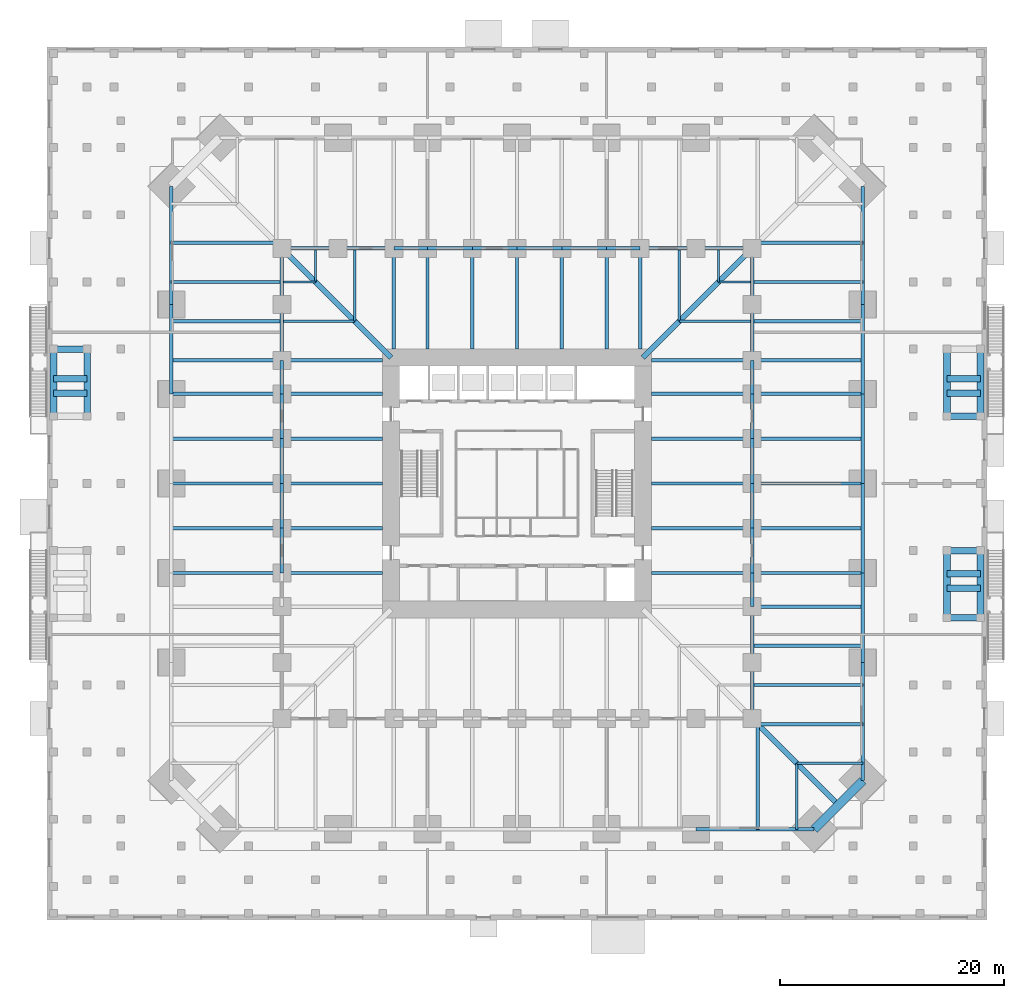
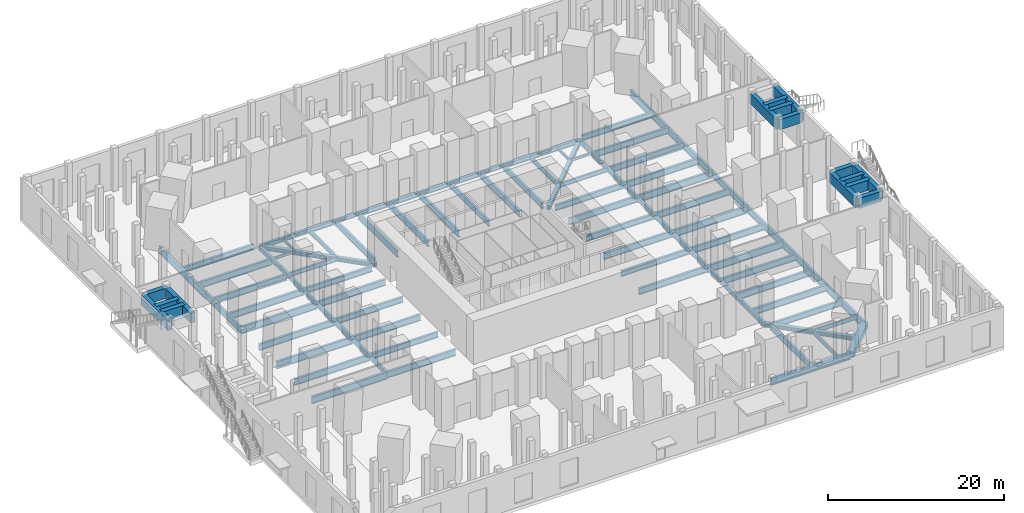
# One storey, part 9 of 20: 108 beams.
"""IFC4 building model written with IfcOpenShell, lengths in metres."""

from ifc_helpers import new_model, si_unit, direction, frame, origin, origin_2d, place, context, subcontext, project, spatial, rectangle, hollow_rectangle, i_section, extrude, material, material_profile, profile_set, type_object, element, save


model = new_model("IFC4")

# Units and contexts
model_context = context("Model", 3, precision=1e-05, world=origin(), true_north=direction((0.0, 1.0)))
body_context = subcontext(model_context, "Body", "Model", "MODEL_VIEW")
ifc_project = project(units=[si_unit("LENGTHUNIT", "METRE"), si_unit("AREAUNIT", "SQUARE_METRE"), si_unit("VOLUMEUNIT", "CUBIC_METRE"), si_unit("PLANEANGLEUNIT", "RADIAN"), si_unit("MASSUNIT", "GRAM", prefix="KILO")], contexts=[model_context])

# Site, building, storey
site_placement = place(None, origin())
site = spatial("IfcSite", under=ifc_project, at=site_placement, CompositionType="ELEMENT")
building_placement = place(site_placement, origin())
building = spatial("IfcBuilding", under=site, at=building_placement, Name="Peilmerk Tower", CompositionType="ELEMENT")
storey_placement = place(building_placement, origin())
storey = spatial("IfcBuildingStorey", under=building, at=storey_placement, Name="L00", CompositionType="ELEMENT", Elevation=0.0)

# Beams
ifc_material_1 = material(Name="Steel S355", Category="steel")
ifc_material_profile_1 = material_profile(ifc_material_1, i_section(OverallWidth=0.302001953125, OverallDepth=1.008056640625, WebThickness=0.02099609375, FlangeThickness=0.0400390625, at=origin_2d()), Name="HEM 1000")
ifc_profile_set_1 = profile_set([ifc_material_profile_1], Name="Steel S355")
beam_type_1 = type_object("IfcBeamType", Name="B1 HEM 1000 edge beam", PredefinedType="SPANDREL", material=ifc_profile_set_1)
for number, where, z_axis, x_axis, name in (
    (1, (30.896728515625, -26.546875, -0.7041015625), (0.0, 1.0, 0.0), (-1.0, 0.0, 0.0), "Edge beam L00"),
    (2, (30.896728515625, 16.0, -0.7041015625), (0.0, 1.0, 0.0), (-1.0, 0.0, 0.0), "Edge beam L00"),
    (3, (16.0, -30.896728515625, -0.7041015625), (1.0, 0.0, 0.0), (0.0, 1.0, 0.0), "Edge beam L00"),
    (4, (-30.896728515625, 26.546875, -0.7041015625), (0.0, -1.0, 0.0), (1.0, 0.0, 0.0), "Edge beam L00"),
):
    element("IfcBeam", number, at=place(storey_placement, frame(where, z_axis=z_axis, x_axis=x_axis)), inside=storey, type_object=beam_type_1, Name=name, PredefinedType="SPANDREL", context=body_context, shape_type="SweptSolid", body=[
        extrude(i_section(OverallWidth=0.302001953125, OverallDepth=1.008056640625, WebThickness=0.02099609375, FlangeThickness=0.0400390625, at=origin_2d()), origin(), (0.0, 0.0, 1.0), 10.546875),
    ])
ifc_material_profile_2 = material_profile(ifc_material_1, i_section(OverallWidth=0.219970703125, OverallDepth=0.60009765625, WebThickness=0.011962890625, FlangeThickness=0.01904296875, at=origin_2d()), Name="IPE 600")
ifc_profile_set_2 = profile_set([ifc_material_profile_2], Name="Steel S355")
beam_type_2 = type_object("IfcBeamType", Name="B10 IPE 600 floor beam", PredefinedType="BEAM", material=ifc_profile_set_2)
for number, where, z_axis, x_axis, name in (
    (5, (14.5, 14.5, -0.5), (0.0, 1.0, 0.0), (-1.0, 0.0, 0.0), "Floor beam L00"),
    (6, (14.5, 14.5, -0.5), (1.0, 0.0, 0.0), (0.0, 1.0, 0.0), "Floor beam L00"),
    (7, (-14.5, 14.5, -0.5), (0.0, 1.0, 0.0), (-1.0, 0.0, 0.0), "Floor beam L00"),
    (8, (-14.5, 14.5, -0.5), (-1.0, 0.0, 0.0), (0.0, -1.0, 0.0), "Floor beam L00"),
):
    element("IfcBeam", number, at=place(storey_placement, frame(where, z_axis=z_axis, x_axis=x_axis)), inside=storey, type_object=beam_type_2, Name=name, PredefinedType="BEAM", context=body_context, shape_type="SweptSolid", body=[
        extrude(i_section(OverallWidth=0.219970703125, OverallDepth=0.60009765625, WebThickness=0.011962890625, FlangeThickness=0.01904296875, at=origin_2d()), origin(), (0.0, 0.0, 1.0), 6.347412109375),
    ])
ifc_material_profile_3 = material_profile(ifc_material_1, i_section(OverallWidth=0.169921875, OverallDepth=0.360107421875, WebThickness=0.008056640625, FlangeThickness=0.0126953125, at=origin_2d()), Name="IPE 360")
ifc_profile_set_3 = profile_set([ifc_material_profile_3], Name="Steel S355")
beam_type_3 = type_object("IfcBeamType", Name="B11 IPE 360 floor beam", PredefinedType="BEAM", material=ifc_profile_set_3)
for number, where, z_axis, x_axis, name in (
    (9, (18.0, 18.0, -0.3798828125), (0.0, 1.0, 0.0), (-1.0, 0.0, 0.0), "Floor beam L00"),
    (10, (18.0, 18.0, -0.3798828125), (1.0, 0.0, 0.0), (0.0, 1.0, 0.0), "Floor beam L00"),
    (11, (-18.0, 18.0, -0.3798828125), (0.0, 1.0, 0.0), (-1.0, 0.0, 0.0), "Floor beam L00"),
    (12, (-18.0, 18.0, -0.3798828125), (-1.0, 0.0, 0.0), (0.0, -1.0, 0.0), "Floor beam L00"),
):
    element("IfcBeam", number, at=place(storey_placement, frame(where, z_axis=z_axis, x_axis=x_axis)), inside=storey, type_object=beam_type_3, Name=name, PredefinedType="BEAM", context=body_context, shape_type="SweptSolid", body=[
        extrude(i_section(OverallWidth=0.169921875, OverallDepth=0.360107421875, WebThickness=0.008056640625, FlangeThickness=0.0126953125, at=origin_2d()), origin(), (0.0, 0.0, 1.0), 2.847412109375),
    ])
ifc_material_profile_4 = material_profile(ifc_material_1, i_section(OverallWidth=0.2099609375, OverallDepth=0.550048828125, WebThickness=0.010986328125, FlangeThickness=0.01708984375, at=origin_2d()), Name="IPE 550")
ifc_profile_set_4 = profile_set([ifc_material_profile_4], Name="Steel S355")
beam_type_4 = type_object("IfcBeamType", Name="B12 IPE 550 floor beam", PredefinedType="BEAM", material=ifc_profile_set_4)
for number, where, z_axis, x_axis, name in (
    (13, (25.0, -25.0, -0.47509765625), (0.0, -1.0, 0.0), (1.0, 0.0, 0.0), "Floor beam L00"),
    (14, (25.0, -25.0, -0.47509765625), (1.0, 0.0, 0.0), (0.0, 1.0, 0.0), "Floor beam L00"),
):
    element("IfcBeam", number, at=place(storey_placement, frame(where, z_axis=z_axis, x_axis=x_axis)), inside=storey, type_object=beam_type_4, Name=name, PredefinedType="BEAM", context=body_context, shape_type="SweptSolid", body=[
        extrude(i_section(OverallWidth=0.2099609375, OverallDepth=0.550048828125, WebThickness=0.010986328125, FlangeThickness=0.01708984375, at=origin_2d()), origin(), (0.0, 0.0, 1.0), 5.896728515625),
    ])
ifc_material_profile_5 = material_profile(ifc_material_1, i_section(OverallWidth=0.302001953125, OverallDepth=0.909912109375, WebThickness=0.02099609375, FlangeThickness=0.0400390625, at=origin_2d()), Name="HEM 900")
ifc_profile_set_5 = profile_set([ifc_material_profile_5], Name="Steel S355")
beam_type_5 = type_object("IfcBeamType", Name="B2 HEM 900 edge beam", PredefinedType="SPANDREL", material=ifc_profile_set_5)
for number, where, z_axis, x_axis, name in (
    (15, (30.896728515625, -16.0, -0.655029296875), (0.0, 1.0, 0.0), (-1.0, 0.0, 0.0), "Edge beam L00"),
    (16, (30.896728515625, -8.0, -0.655029296875), (0.0, 1.0, 0.0), (-1.0, 0.0, 0.0), "Edge beam L00"),
    (17, (30.896728515625, 0.0, -0.655029296875), (0.0, 1.0, 0.0), (-1.0, 0.0, 0.0), "Edge beam L00"),
    (18, (30.896728515625, 8.0, -0.655029296875), (0.0, 1.0, 0.0), (-1.0, 0.0, 0.0), "Edge beam L00"),
    (19, (-30.896728515625, 16.0, -0.655029296875), (0.0, -1.0, 0.0), (1.0, 0.0, 0.0), "Edge beam L00"),
):
    element("IfcBeam", number, at=place(storey_placement, frame(where, z_axis=z_axis, x_axis=x_axis)), inside=storey, type_object=beam_type_5, Name=name, PredefinedType="SPANDREL", context=body_context, shape_type="SweptSolid", body=[
        extrude(i_section(OverallWidth=0.302001953125, OverallDepth=0.909912109375, WebThickness=0.02099609375, FlangeThickness=0.0400390625, at=origin_2d()), origin(), (0.0, 0.0, 1.0), 8.0),
    ])
ifc_material_profile_6 = material_profile(ifc_material_1, i_section(OverallWidth=0.300048828125, OverallDepth=0.7900390625, WebThickness=0.014892578125, FlangeThickness=0.028076171875, at=origin_2d()), Name="HEA 800")
ifc_profile_set_6 = profile_set([ifc_material_profile_6], Name="Steel S355")
beam_type_6 = type_object("IfcBeamType", Name="B3 HEA 800 floor beam", PredefinedType="BEAM", material=ifc_profile_set_6)
for number, where, z_axis, x_axis, name in (
    (20, (11.0, 12.0, -0.594970703125), (0.0, 1.0, 0.0), (-1.0, 0.0, 0.0), "Floor beam L00"),
    (21, (4.0, 12.0, -0.594970703125), (0.0, 1.0, 0.0), (-1.0, 0.0, 0.0), "Floor beam L00"),
    (22, (-4.0, 12.0, -0.594970703125), (0.0, 1.0, 0.0), (-1.0, 0.0, 0.0), "Floor beam L00"),
    (23, (-11.0, 12.0, -0.594970703125), (0.0, 1.0, 0.0), (-1.0, 0.0, 0.0), "Floor beam L00"),
    (24, (12.0, -4.0, -0.594970703125), (1.0, 0.0, 0.0), (0.0, 1.0, 0.0), "Floor beam L00"),
    (25, (12.0, 4.0, -0.594970703125), (1.0, 0.0, 0.0), (0.0, 1.0, 0.0), "Floor beam L00"),
    (26, (12.0, 11.0, -0.594970703125), (1.0, 0.0, 0.0), (0.0, 1.0, 0.0), "Floor beam L00"),
    (27, (-12.0, 11.0, -0.594970703125), (-1.0, 0.0, 0.0), (0.0, -1.0, 0.0), "Floor beam L00"),
    (28, (-12.0, 4.0, -0.594970703125), (-1.0, 0.0, 0.0), (0.0, -1.0, 0.0), "Floor beam L00"),
    (29, (-12.0, -4.0, -0.594970703125), (-1.0, 0.0, 0.0), (0.0, -1.0, 0.0), "Floor beam L00"),
):
    element("IfcBeam", number, at=place(storey_placement, frame(where, z_axis=z_axis, x_axis=x_axis)), inside=storey, type_object=beam_type_6, Name=name, PredefinedType="BEAM", context=body_context, shape_type="SweptSolid", body=[
        extrude(i_section(OverallWidth=0.300048828125, OverallDepth=0.7900390625, WebThickness=0.014892578125, FlangeThickness=0.028076171875, at=origin_2d()), origin(), (0.0, 0.0, 1.0), 9.0),
    ])
for number, where, z_axis, x_axis, name in (
    (30, (21.5, 21.5, -0.594970703125), (1.0, 0.0, 0.0), (0.0, 1.0, 0.0), "Floor beam L00"),
    (31, (21.5, -21.5, -0.594970703125), (0.0, -1.0, 0.0), (1.0, 0.0, 0.0), "Floor beam L00"),
    (32, (21.5, -21.5, -0.594970703125), (1.0, 0.0, 0.0), (0.0, 1.0, 0.0), "Floor beam L00"),
    (33, (-21.5, 21.5, -0.594970703125), (-1.0, 0.0, 0.0), (0.0, -1.0, 0.0), "Floor beam L00"),
):
    element("IfcBeam", number, at=place(storey_placement, frame(where, z_axis=z_axis, x_axis=x_axis)), inside=storey, type_object=beam_type_6, Name=name, PredefinedType="BEAM", context=body_context, shape_type="SweptSolid", body=[
        extrude(i_section(OverallWidth=0.300048828125, OverallDepth=0.7900390625, WebThickness=0.014892578125, FlangeThickness=0.028076171875, at=origin_2d()), origin(), (0.0, 0.0, 1.0), 9.396728515625),
    ])
ifc_material_profile_7 = material_profile(ifc_material_1, i_section(OverallWidth=0.300048828125, OverallDepth=0.889892578125, WebThickness=0.01611328125, FlangeThickness=0.030029296875, at=origin_2d()), Name="HEA 900")
ifc_profile_set_7 = profile_set([ifc_material_profile_7], Name="Steel S355")
beam_type_7 = type_object("IfcBeamType", Name="B4 HEA 900 floor beam", PredefinedType="BEAM", material=ifc_profile_set_7)
for number, where, z_axis, x_axis, name in (
    (34, (8.0, 12.0, -0.64501953125), (0.0, 1.0, 0.0), (-1.0, 0.0, 0.0), "Floor girder L00"),
    (35, (0.0, 12.0, -0.64501953125), (0.0, 1.0, 0.0), (-1.0, 0.0, 0.0), "Floor girder L00"),
    (36, (-8.0, 12.0, -0.64501953125), (0.0, 1.0, 0.0), (-1.0, 0.0, 0.0), "Floor girder L00"),
):
    element("IfcBeam", number, at=place(storey_placement, frame(where, z_axis=z_axis, x_axis=x_axis)), inside=storey, type_object=beam_type_7, Name=name, PredefinedType="BEAM", context=body_context, shape_type="SweptSolid", body=[
        extrude(i_section(OverallWidth=0.300048828125, OverallDepth=0.889892578125, WebThickness=0.01611328125, FlangeThickness=0.030029296875, at=origin_2d()), origin(), (0.0, 0.0, 1.0), 9.0),
    ])
beam_1_placement = place(storey_placement, frame((21.0, -11.0, -0.64501953125), z_axis=(1.0, 0.0, 0.0), x_axis=(0.0, 1.0, 0.0)))
element("IfcBeam", 37, at=beam_1_placement, inside=storey, type_object=beam_type_7, Name="Floor beam L00", PredefinedType="BEAM", context=body_context, shape_type="SweptSolid", body=[
    extrude(i_section(OverallWidth=0.300048828125, OverallDepth=0.889892578125, WebThickness=0.01611328125, FlangeThickness=0.030029296875, at=origin_2d()), origin(), (0.0, 0.0, 1.0), 9.896728515625),
])
beam_2_placement = place(storey_placement, frame((12.0, -8.0, -0.64501953125), z_axis=(1.0, 0.0, 0.0), x_axis=(0.0, 1.0, 0.0)))
element("IfcBeam", 38, at=beam_2_placement, inside=storey, type_object=beam_type_7, Name="Floor girder L00", PredefinedType="BEAM", context=body_context, shape_type="SweptSolid", body=[
    extrude(i_section(OverallWidth=0.300048828125, OverallDepth=0.889892578125, WebThickness=0.01611328125, FlangeThickness=0.030029296875, at=origin_2d()), origin(), (0.0, 0.0, 1.0), 9.0),
])
beam_3_placement = place(storey_placement, frame((21.0, -4.0, -0.64501953125), z_axis=(1.0, 0.0, 0.0), x_axis=(0.0, 1.0, 0.0)))
element("IfcBeam", 39, at=beam_3_placement, inside=storey, type_object=beam_type_7, Name="Floor beam L00", PredefinedType="BEAM", context=body_context, shape_type="SweptSolid", body=[
    extrude(i_section(OverallWidth=0.300048828125, OverallDepth=0.889892578125, WebThickness=0.01611328125, FlangeThickness=0.030029296875, at=origin_2d()), origin(), (0.0, 0.0, 1.0), 9.896728515625),
])
beam_4_placement = place(storey_placement, frame((12.0, 0.0, -0.64501953125), z_axis=(1.0, 0.0, 0.0), x_axis=(0.0, 1.0, 0.0)))
element("IfcBeam", 40, at=beam_4_placement, inside=storey, type_object=beam_type_7, Name="Floor girder L00", PredefinedType="BEAM", context=body_context, shape_type="SweptSolid", body=[
    extrude(i_section(OverallWidth=0.300048828125, OverallDepth=0.889892578125, WebThickness=0.01611328125, FlangeThickness=0.030029296875, at=origin_2d()), origin(), (0.0, 0.0, 1.0), 9.0),
])
beam_5_placement = place(storey_placement, frame((21.0, 4.0, -0.64501953125), z_axis=(1.0, 0.0, 0.0), x_axis=(0.0, 1.0, 0.0)))
element("IfcBeam", 41, at=beam_5_placement, inside=storey, type_object=beam_type_7, Name="Floor beam L00", PredefinedType="BEAM", context=body_context, shape_type="SweptSolid", body=[
    extrude(i_section(OverallWidth=0.300048828125, OverallDepth=0.889892578125, WebThickness=0.01611328125, FlangeThickness=0.030029296875, at=origin_2d()), origin(), (0.0, 0.0, 1.0), 9.896728515625),
])
beam_6_placement = place(storey_placement, frame((12.0, 8.0, -0.64501953125), z_axis=(1.0, 0.0, 0.0), x_axis=(0.0, 1.0, 0.0)))
element("IfcBeam", 42, at=beam_6_placement, inside=storey, type_object=beam_type_7, Name="Floor girder L00", PredefinedType="BEAM", context=body_context, shape_type="SweptSolid", body=[
    extrude(i_section(OverallWidth=0.300048828125, OverallDepth=0.889892578125, WebThickness=0.01611328125, FlangeThickness=0.030029296875, at=origin_2d()), origin(), (0.0, 0.0, 1.0), 9.0),
])
for number, where, z_axis, x_axis, name in (
    (43, (21.0, 11.0, -0.64501953125), (1.0, 0.0, 0.0), (0.0, 1.0, 0.0), "Floor beam L00"),
    (44, (-21.0, 11.0, -0.64501953125), (-1.0, 0.0, 0.0), (0.0, -1.0, 0.0), "Floor beam L00"),
):
    element("IfcBeam", number, at=place(storey_placement, frame(where, z_axis=z_axis, x_axis=x_axis)), inside=storey, type_object=beam_type_7, Name=name, PredefinedType="BEAM", context=body_context, shape_type="SweptSolid", body=[
        extrude(i_section(OverallWidth=0.300048828125, OverallDepth=0.889892578125, WebThickness=0.01611328125, FlangeThickness=0.030029296875, at=origin_2d()), origin(), (0.0, 0.0, 1.0), 9.896728515625),
    ])
beam_7_placement = place(storey_placement, frame((-12.0, 8.0, -0.64501953125), z_axis=(-1.0, 0.0, 0.0), x_axis=(0.0, -1.0, 0.0)))
element("IfcBeam", 45, at=beam_7_placement, inside=storey, type_object=beam_type_7, Name="Floor girder L00", PredefinedType="BEAM", context=body_context, shape_type="SweptSolid", body=[
    extrude(i_section(OverallWidth=0.300048828125, OverallDepth=0.889892578125, WebThickness=0.01611328125, FlangeThickness=0.030029296875, at=origin_2d()), origin(), (0.0, 0.0, 1.0), 9.0),
])
beam_8_placement = place(storey_placement, frame((-21.0, 4.0, -0.64501953125), z_axis=(-1.0, 0.0, 0.0), x_axis=(0.0, -1.0, 0.0)))
element("IfcBeam", 46, at=beam_8_placement, inside=storey, type_object=beam_type_7, Name="Floor beam L00", PredefinedType="BEAM", context=body_context, shape_type="SweptSolid", body=[
    extrude(i_section(OverallWidth=0.300048828125, OverallDepth=0.889892578125, WebThickness=0.01611328125, FlangeThickness=0.030029296875, at=origin_2d()), origin(), (0.0, 0.0, 1.0), 9.896728515625),
])
beam_9_placement = place(storey_placement, frame((-12.0, 0.0, -0.64501953125), z_axis=(-1.0, 0.0, 0.0), x_axis=(0.0, -1.0, 0.0)))
element("IfcBeam", 47, at=beam_9_placement, inside=storey, type_object=beam_type_7, Name="Floor girder L00", PredefinedType="BEAM", context=body_context, shape_type="SweptSolid", body=[
    extrude(i_section(OverallWidth=0.300048828125, OverallDepth=0.889892578125, WebThickness=0.01611328125, FlangeThickness=0.030029296875, at=origin_2d()), origin(), (0.0, 0.0, 1.0), 9.0),
])
beam_10_placement = place(storey_placement, frame((-21.0, -4.0, -0.64501953125), z_axis=(-1.0, 0.0, 0.0), x_axis=(0.0, -1.0, 0.0)))
element("IfcBeam", 48, at=beam_10_placement, inside=storey, type_object=beam_type_7, Name="Floor beam L00", PredefinedType="BEAM", context=body_context, shape_type="SweptSolid", body=[
    extrude(i_section(OverallWidth=0.300048828125, OverallDepth=0.889892578125, WebThickness=0.01611328125, FlangeThickness=0.030029296875, at=origin_2d()), origin(), (0.0, 0.0, 1.0), 9.896728515625),
])
beam_11_placement = place(storey_placement, frame((-12.0, -8.0, -0.64501953125), z_axis=(-1.0, 0.0, 0.0), x_axis=(0.0, -1.0, 0.0)))
element("IfcBeam", 49, at=beam_11_placement, inside=storey, type_object=beam_type_7, Name="Floor girder L00", PredefinedType="BEAM", context=body_context, shape_type="SweptSolid", body=[
    extrude(i_section(OverallWidth=0.300048828125, OverallDepth=0.889892578125, WebThickness=0.01611328125, FlangeThickness=0.030029296875, at=origin_2d()), origin(), (0.0, 0.0, 1.0), 9.0),
])
for number, where, z_axis, x_axis, name in (
    (50, (21.152587890625, 14.5, -0.64501953125), (1.0, 0.0, 0.0), (0.0, 1.0, 0.0), "Floor beam L00"),
    (51, (21.152587890625, 18.0, -0.64501953125), (1.0, 0.0, 0.0), (0.0, 1.0, 0.0), "Floor beam L00"),
    (52, (21.152587890625, -14.5, -0.64501953125), (1.0, 0.0, 0.0), (0.0, 1.0, 0.0), "Floor beam L00"),
    (53, (21.152587890625, -18.0, -0.64501953125), (1.0, 0.0, 0.0), (0.0, 1.0, 0.0), "Floor beam L00"),
    (54, (-21.152587890625, 14.5, -0.64501953125), (-1.0, 0.0, 0.0), (0.0, -1.0, 0.0), "Floor beam L00"),
    (55, (-21.152587890625, 18.0, -0.64501953125), (-1.0, 0.0, 0.0), (0.0, -1.0, 0.0), "Floor beam L00"),
):
    element("IfcBeam", number, at=place(storey_placement, frame(where, z_axis=z_axis, x_axis=x_axis)), inside=storey, type_object=beam_type_7, Name=name, PredefinedType="BEAM", context=body_context, shape_type="SweptSolid", body=[
        extrude(i_section(OverallWidth=0.300048828125, OverallDepth=0.889892578125, WebThickness=0.01611328125, FlangeThickness=0.030029296875, at=origin_2d()), origin(), (0.0, 0.0, 1.0), 9.744140625),
    ])
ifc_material_profile_8 = material_profile(ifc_material_1, i_section(OverallWidth=0.300048828125, OverallDepth=1.0, WebThickness=0.01904296875, FlangeThickness=0.035888671875, at=origin_2d()), Name="HEB 1000")
ifc_profile_set_8 = profile_set([ifc_material_profile_8], Name="Steel S355")
beam_type_8 = type_object("IfcBeamType", Name="B5 HEB 1000 floor girder", PredefinedType="BEAM", material=ifc_profile_set_8)
for number, where, z_axis, x_axis, name in (
    (56, (21.0, -8.0, -0.699951171875), (1.0, 0.0, 0.0), (0.0, 1.0, 0.0), "Floor girder L00"),
    (57, (21.0, 0.0, -0.699951171875), (1.0, 0.0, 0.0), (0.0, 1.0, 0.0), "Floor girder L00"),
    (58, (21.0, 8.0, -0.699951171875), (1.0, 0.0, 0.0), (0.0, 1.0, 0.0), "Floor girder L00"),
    (59, (-21.0, 8.0, -0.699951171875), (-1.0, 0.0, 0.0), (0.0, -1.0, 0.0), "Floor girder L00"),
    (60, (-21.0, 0.0, -0.699951171875), (-1.0, 0.0, 0.0), (0.0, -1.0, 0.0), "Floor girder L00"),
    (61, (-21.0, -8.0, -0.699951171875), (-1.0, 0.0, 0.0), (0.0, -1.0, 0.0), "Floor girder L00"),
):
    element("IfcBeam", number, at=place(storey_placement, frame(where, z_axis=z_axis, x_axis=x_axis)), inside=storey, type_object=beam_type_8, Name=name, PredefinedType="BEAM", context=body_context, shape_type="SweptSolid", body=[
        extrude(i_section(OverallWidth=0.300048828125, OverallDepth=1.0, WebThickness=0.01904296875, FlangeThickness=0.035888671875, at=origin_2d()), origin(), (0.0, 0.0, 1.0), 9.896728515625),
    ])
ifc_material_profile_9 = material_profile(ifc_material_1, i_section(OverallWidth=0.304931640625, OverallDepth=0.6201171875, WebThickness=0.02099609375, FlangeThickness=0.0400390625, at=origin_2d()), Name="HEM 600")
ifc_profile_set_9 = profile_set([ifc_material_profile_9], Name="Steel S355")
beam_type_9 = type_object("IfcBeamType", Name="B6 HEM 600 ring girder", PredefinedType="BEAM", material=ifc_profile_set_9)
for number, where, z_axis, x_axis, name in (
    (62, (21.0, 21.0, -0.510009765625), (-1.0, 0.0, 0.0), (0.0, -1.0, 0.0), "Ring girder L00"),
    (63, (16.0, 21.0, -0.510009765625), (-1.0, 0.0, 0.0), (0.0, -1.0, 0.0), "Ring girder L00"),
):
    element("IfcBeam", number, at=place(storey_placement, frame(where, z_axis=z_axis, x_axis=x_axis)), inside=storey, type_object=beam_type_9, Name=name, PredefinedType="BEAM", context=body_context, shape_type="SweptSolid", body=[
        extrude(i_section(OverallWidth=0.304931640625, OverallDepth=0.6201171875, WebThickness=0.02099609375, FlangeThickness=0.0400390625, at=origin_2d()), origin(), (0.0, 0.0, 1.0), 5.0),
    ])
for number, where, z_axis, x_axis, name in (
    (64, (8.0, 21.0, -0.510009765625), (-1.0, 0.0, 0.0), (0.0, -1.0, 0.0), "Ring girder L00"),
    (65, (4.0, 21.0, -0.510009765625), (-1.0, 0.0, 0.0), (0.0, -1.0, 0.0), "Ring girder L00"),
    (66, (0.0, 21.0, -0.510009765625), (-1.0, 0.0, 0.0), (0.0, -1.0, 0.0), "Ring girder L00"),
    (67, (-4.0, 21.0, -0.510009765625), (-1.0, 0.0, 0.0), (0.0, -1.0, 0.0), "Ring girder L00"),
):
    element("IfcBeam", number, at=place(storey_placement, frame(where, z_axis=z_axis, x_axis=x_axis)), inside=storey, type_object=beam_type_9, Name=name, PredefinedType="BEAM", context=body_context, shape_type="SweptSolid", body=[
        extrude(i_section(OverallWidth=0.304931640625, OverallDepth=0.6201171875, WebThickness=0.02099609375, FlangeThickness=0.0400390625, at=origin_2d()), origin(), (0.0, 0.0, 1.0), 4.0),
    ])
for number, where, z_axis, x_axis, name in (
    (68, (-11.0, 21.0, -0.510009765625), (-1.0, 0.0, 0.0), (0.0, -1.0, 0.0), "Ring girder L00"),
    (69, (-16.0, 21.0, -0.510009765625), (-1.0, 0.0, 0.0), (0.0, -1.0, 0.0), "Ring girder L00"),
    (70, (21.0, -21.0, -0.510009765625), (0.0, 1.0, 0.0), (-1.0, 0.0, 0.0), "Ring girder L00"),
    (71, (21.0, -16.0, -0.510009765625), (0.0, 1.0, 0.0), (-1.0, 0.0, 0.0), "Ring girder L00"),
):
    element("IfcBeam", number, at=place(storey_placement, frame(where, z_axis=z_axis, x_axis=x_axis)), inside=storey, type_object=beam_type_9, Name=name, PredefinedType="BEAM", context=body_context, shape_type="SweptSolid", body=[
        extrude(i_section(OverallWidth=0.304931640625, OverallDepth=0.6201171875, WebThickness=0.02099609375, FlangeThickness=0.0400390625, at=origin_2d()), origin(), (0.0, 0.0, 1.0), 5.0),
    ])
for number, where, z_axis, x_axis, name in (
    (72, (21.0, -8.0, -0.510009765625), (0.0, 1.0, 0.0), (-1.0, 0.0, 0.0), "Ring girder L00"),
    (73, (21.0, -4.0, -0.510009765625), (0.0, 1.0, 0.0), (-1.0, 0.0, 0.0), "Ring girder L00"),
    (74, (21.0, 0.0, -0.510009765625), (0.0, 1.0, 0.0), (-1.0, 0.0, 0.0), "Ring girder L00"),
    (75, (21.0, 4.0, -0.510009765625), (0.0, 1.0, 0.0), (-1.0, 0.0, 0.0), "Ring girder L00"),
):
    element("IfcBeam", number, at=place(storey_placement, frame(where, z_axis=z_axis, x_axis=x_axis)), inside=storey, type_object=beam_type_9, Name=name, PredefinedType="BEAM", context=body_context, shape_type="SweptSolid", body=[
        extrude(i_section(OverallWidth=0.304931640625, OverallDepth=0.6201171875, WebThickness=0.02099609375, FlangeThickness=0.0400390625, at=origin_2d()), origin(), (0.0, 0.0, 1.0), 4.0),
    ])
for number, where, z_axis, x_axis, name in (
    (76, (21.0, 11.0, -0.510009765625), (0.0, 1.0, 0.0), (-1.0, 0.0, 0.0), "Ring girder L00"),
    (77, (21.0, 16.0, -0.510009765625), (0.0, 1.0, 0.0), (-1.0, 0.0, 0.0), "Ring girder L00"),
    (78, (-21.0, 21.0, -0.510009765625), (0.0, -1.0, 0.0), (1.0, 0.0, 0.0), "Ring girder L00"),
    (79, (-21.0, 16.0, -0.510009765625), (0.0, -1.0, 0.0), (1.0, 0.0, 0.0), "Ring girder L00"),
):
    element("IfcBeam", number, at=place(storey_placement, frame(where, z_axis=z_axis, x_axis=x_axis)), inside=storey, type_object=beam_type_9, Name=name, PredefinedType="BEAM", context=body_context, shape_type="SweptSolid", body=[
        extrude(i_section(OverallWidth=0.304931640625, OverallDepth=0.6201171875, WebThickness=0.02099609375, FlangeThickness=0.0400390625, at=origin_2d()), origin(), (0.0, 0.0, 1.0), 5.0),
    ])
for number, where, z_axis, x_axis, name in (
    (80, (-21.0, 8.0, -0.510009765625), (0.0, -1.0, 0.0), (1.0, 0.0, 0.0), "Ring girder L00"),
    (81, (-21.0, 4.0, -0.510009765625), (0.0, -1.0, 0.0), (1.0, 0.0, 0.0), "Ring girder L00"),
    (82, (-21.0, 0.0, -0.510009765625), (0.0, -1.0, 0.0), (1.0, 0.0, 0.0), "Ring girder L00"),
    (83, (-21.0, -4.0, -0.510009765625), (0.0, -1.0, 0.0), (1.0, 0.0, 0.0), "Ring girder L00"),
):
    element("IfcBeam", number, at=place(storey_placement, frame(where, z_axis=z_axis, x_axis=x_axis)), inside=storey, type_object=beam_type_9, Name=name, PredefinedType="BEAM", context=body_context, shape_type="SweptSolid", body=[
        extrude(i_section(OverallWidth=0.304931640625, OverallDepth=0.6201171875, WebThickness=0.02099609375, FlangeThickness=0.0400390625, at=origin_2d()), origin(), (0.0, 0.0, 1.0), 4.0),
    ])
ifc_material_profile_10 = material_profile(ifc_material_1, i_section(OverallWidth=0.305908203125, OverallDepth=0.52392578125, WebThickness=0.02099609375, FlangeThickness=0.0400390625, at=origin_2d()), Name="HEM 500")
ifc_profile_set_10 = profile_set([ifc_material_profile_10], Name="Steel S355")
beam_type_10 = type_object("IfcBeamType", Name="B7 HEM 500 ring girder", PredefinedType="BEAM", material=ifc_profile_set_10)
for number, where, z_axis, x_axis, name in (
    (84, (11.0, 21.0, -0.4619140625), (-1.0, 0.0, 0.0), (0.0, -1.0, 0.0), "Ring girder L00"),
    (85, (-8.0, 21.0, -0.4619140625), (-1.0, 0.0, 0.0), (0.0, -1.0, 0.0), "Ring girder L00"),
    (86, (21.0, -11.0, -0.4619140625), (0.0, 1.0, 0.0), (-1.0, 0.0, 0.0), "Ring girder L00"),
    (87, (21.0, 8.0, -0.4619140625), (0.0, 1.0, 0.0), (-1.0, 0.0, 0.0), "Ring girder L00"),
    (88, (-21.0, 11.0, -0.4619140625), (0.0, -1.0, 0.0), (1.0, 0.0, 0.0), "Ring girder L00"),
):
    element("IfcBeam", number, at=place(storey_placement, frame(where, z_axis=z_axis, x_axis=x_axis)), inside=storey, type_object=beam_type_10, Name=name, PredefinedType="BEAM", context=body_context, shape_type="SweptSolid", body=[
        extrude(i_section(OverallWidth=0.305908203125, OverallDepth=0.52392578125, WebThickness=0.02099609375, FlangeThickness=0.0400390625, at=origin_2d()), origin(), (0.0, 0.0, 1.0), 3.0),
    ])
ifc_material_2 = material(Name="Steel S460", Category="steel")
ifc_material_profile_11 = material_profile(ifc_material_2, hollow_rectangle(XDim=0.800048828125, YDim=0.800048828125, WallThickness=0.080078125, at=origin_2d()), Name="BOX 800x800x80")
ifc_profile_set_11 = profile_set([ifc_material_profile_11], Name="Steel S460")
beam_type_11 = type_object("IfcBeamType", Name="B8 BOX 800x800x80 notch beam", PredefinedType="SPANDREL", material=ifc_profile_set_11)
beam_12_placement = place(storey_placement, frame((30.896728515625, -26.546875, -0.60009765625), z_axis=(-0.707106781187, -0.707106781187, 0.0), x_axis=(0.707106781187, -0.707106781187, 0.0)))
element("IfcBeam", 89, at=beam_12_placement, inside=storey, type_object=beam_type_11, Name="Notch beam L00", PredefinedType="SPANDREL", context=body_context, shape_type="SweptSolid", body=[
    extrude(hollow_rectangle(XDim=0.800048828125, YDim=0.800048828125, WallThickness=0.080078125, at=origin_2d()), origin(), (0.0, 0.0, 1.0), 6.151611328125),
])
ifc_material_profile_12 = material_profile(ifc_material_2, i_section(OverallWidth=0.4541015625, OverallDepth=0.569091796875, WebThickness=0.077880859375, FlangeThickness=0.125, at=origin_2d()), Name="HD 400x1086")
ifc_profile_set_12 = profile_set([ifc_material_profile_12], Name="Steel S460")
beam_type_12 = type_object("IfcBeamType", Name="B9 HD 400x1086 corner girder", PredefinedType="BEAM", material=ifc_profile_set_12)
beam_13_placement = place(storey_placement, frame((11.25, 11.25, -0.484619140625), z_axis=(0.707106781187, 0.707106781187, 0.0), x_axis=(-0.707106781187, 0.707106781187, 0.0)))
element("IfcBeam", 90, at=beam_13_placement, inside=storey, type_object=beam_type_12, Name="Corner girder L00", PredefinedType="BEAM", context=body_context, shape_type="SweptSolid", body=[
    extrude(i_section(OverallWidth=0.4541015625, OverallDepth=0.569091796875, WebThickness=0.077880859375, FlangeThickness=0.125, at=origin_2d()), origin(), (0.0, 0.0, 1.0), 13.78857421875),
])
beam_14_placement = place(storey_placement, frame((21.0, -21.0, -0.484619140625), z_axis=(0.707106781187, -0.707106781187, 0.0), x_axis=(0.707106781187, 0.707106781187, 0.0)))
element("IfcBeam", 91, at=beam_14_placement, inside=storey, type_object=beam_type_12, Name="Corner girder L00", PredefinedType="BEAM", context=body_context, shape_type="SweptSolid", body=[
    extrude(i_section(OverallWidth=0.4541015625, OverallDepth=0.569091796875, WebThickness=0.077880859375, FlangeThickness=0.125, at=origin_2d()), origin(), (0.0, 0.0, 1.0), 10.920166015625),
])
beam_15_placement = place(storey_placement, frame((-11.25, 11.25, -0.484619140625), z_axis=(-0.707106781187, 0.707106781187, 0.0), x_axis=(-0.707106781187, -0.707106781187, 0.0)))
element("IfcBeam", 92, at=beam_15_placement, inside=storey, type_object=beam_type_12, Name="Corner girder L00", PredefinedType="BEAM", context=body_context, shape_type="SweptSolid", body=[
    extrude(i_section(OverallWidth=0.4541015625, OverallDepth=0.569091796875, WebThickness=0.077880859375, FlangeThickness=0.125, at=origin_2d()), origin(), (0.0, 0.0, 1.0), 13.78857421875),
])
ifc_material_3 = material(Name="Concrete C35/45", Category="concrete")
ifc_material_profile_13 = material_profile(ifc_material_3, rectangle(XDim=0.60009765625, YDim=1.39990234375, at=origin_2d()), Name="RC 600x1400")
ifc_profile_set_13 = profile_set([ifc_material_profile_13], Name="Concrete C35/45")
beam_type_13 = type_object("IfcBeamType", Name="TB1 600x1400 stair transfer beam", PredefinedType="BEAM", material=ifc_profile_set_13)
beam_16_placement = place(storey_placement, frame((38.39990234375, 6.0, 4.85009765625), z_axis=(1.0, 0.0, 0.0), x_axis=(0.0, 1.0, 0.0)))
element("IfcBeam", 93, at=beam_16_placement, inside=storey, type_object=beam_type_13, Name="External stair 3 transfer beam", PredefinedType="BEAM", context=body_context, shape_type="SweptSolid", body=[
    extrude(rectangle(XDim=0.60009765625, YDim=1.39990234375, at=origin_2d()), origin(), (0.0, 0.0, 1.0), 3.0),
])
for number, where, z_axis, x_axis, name in (
    (94, (38.39990234375, 6.0, 4.85009765625), (0.0, 1.0, 0.0), (-1.0, 0.0, 0.0), "External stair 3 transfer beam"),
    (95, (41.39990234375, 6.0, 4.85009765625), (0.0, 1.0, 0.0), (-1.0, 0.0, 0.0), "External stair 3 transfer beam"),
):
    element("IfcBeam", number, at=place(storey_placement, frame(where, z_axis=z_axis, x_axis=x_axis)), inside=storey, type_object=beam_type_13, Name=name, PredefinedType="BEAM", context=body_context, shape_type="SweptSolid", body=[
        extrude(rectangle(XDim=0.60009765625, YDim=1.39990234375, at=origin_2d()), origin(), (0.0, 0.0, 1.0), 6.0),
    ])
for number, where, z_axis, x_axis, name in (
    (96, (38.39990234375, 8.06005859375, 4.85009765625), (1.0, 0.0, 0.0), (0.0, 1.0, 0.0), "External stair 3 transfer beam"),
    (97, (38.39990234375, 9.360107421875, 4.85009765625), (1.0, 0.0, 0.0), (0.0, 1.0, 0.0), "External stair 3 transfer beam"),
    (98, (38.39990234375, -6.0, 4.85009765625), (1.0, 0.0, 0.0), (0.0, 1.0, 0.0), "External stair 4 transfer beam"),
    (99, (38.39990234375, -12.0, 4.85009765625), (1.0, 0.0, 0.0), (0.0, 1.0, 0.0), "External stair 4 transfer beam"),
):
    element("IfcBeam", number, at=place(storey_placement, frame(where, z_axis=z_axis, x_axis=x_axis)), inside=storey, type_object=beam_type_13, Name=name, PredefinedType="BEAM", context=body_context, shape_type="SweptSolid", body=[
        extrude(rectangle(XDim=0.60009765625, YDim=1.39990234375, at=origin_2d()), origin(), (0.0, 0.0, 1.0), 3.0),
    ])
for number, where, z_axis, x_axis, name in (
    (100, (38.39990234375, -6.0, 4.85009765625), (0.0, -1.0, 0.0), (1.0, 0.0, 0.0), "External stair 4 transfer beam"),
    (101, (41.39990234375, -6.0, 4.85009765625), (0.0, -1.0, 0.0), (1.0, 0.0, 0.0), "External stair 4 transfer beam"),
):
    element("IfcBeam", number, at=place(storey_placement, frame(where, z_axis=z_axis, x_axis=x_axis)), inside=storey, type_object=beam_type_13, Name=name, PredefinedType="BEAM", context=body_context, shape_type="SweptSolid", body=[
        extrude(rectangle(XDim=0.60009765625, YDim=1.39990234375, at=origin_2d()), origin(), (0.0, 0.0, 1.0), 6.0),
    ])
for number, where, z_axis, x_axis, name in (
    (102, (38.39990234375, -9.360107421875, 4.85009765625), (1.0, 0.0, 0.0), (0.0, 1.0, 0.0), "External stair 4 transfer beam"),
    (103, (38.39990234375, -8.06005859375, 4.85009765625), (1.0, 0.0, 0.0), (0.0, 1.0, 0.0), "External stair 4 transfer beam"),
    (104, (-38.39990234375, 12.0, 4.85009765625), (-1.0, 0.0, 0.0), (0.0, -1.0, 0.0), "External stair 5 transfer beam"),
):
    element("IfcBeam", number, at=place(storey_placement, frame(where, z_axis=z_axis, x_axis=x_axis)), inside=storey, type_object=beam_type_13, Name=name, PredefinedType="BEAM", context=body_context, shape_type="SweptSolid", body=[
        extrude(rectangle(XDim=0.60009765625, YDim=1.39990234375, at=origin_2d()), origin(), (0.0, 0.0, 1.0), 3.0),
    ])
for number, where, z_axis, x_axis, name in (
    (105, (-38.39990234375, 6.0, 4.85009765625), (0.0, 1.0, 0.0), (-1.0, 0.0, 0.0), "External stair 5 transfer beam"),
    (106, (-41.39990234375, 6.0, 4.85009765625), (0.0, 1.0, 0.0), (-1.0, 0.0, 0.0), "External stair 5 transfer beam"),
):
    element("IfcBeam", number, at=place(storey_placement, frame(where, z_axis=z_axis, x_axis=x_axis)), inside=storey, type_object=beam_type_13, Name=name, PredefinedType="BEAM", context=body_context, shape_type="SweptSolid", body=[
        extrude(rectangle(XDim=0.60009765625, YDim=1.39990234375, at=origin_2d()), origin(), (0.0, 0.0, 1.0), 6.0),
    ])
for number, where, z_axis, x_axis, name in (
    (107, (-38.39990234375, 8.06005859375, 4.85009765625), (-1.0, 0.0, 0.0), (0.0, -1.0, 0.0), "External stair 5 transfer beam"),
    (108, (-38.39990234375, 9.360107421875, 4.85009765625), (-1.0, 0.0, 0.0), (0.0, -1.0, 0.0), "External stair 5 transfer beam"),
):
    element("IfcBeam", number, at=place(storey_placement, frame(where, z_axis=z_axis, x_axis=x_axis)), inside=storey, type_object=beam_type_13, Name=name, PredefinedType="BEAM", context=body_context, shape_type="SweptSolid", body=[
        extrude(rectangle(XDim=0.60009765625, YDim=1.39990234375, at=origin_2d()), origin(), (0.0, 0.0, 1.0), 3.0),
    ])

save(model, "model.ifc")
